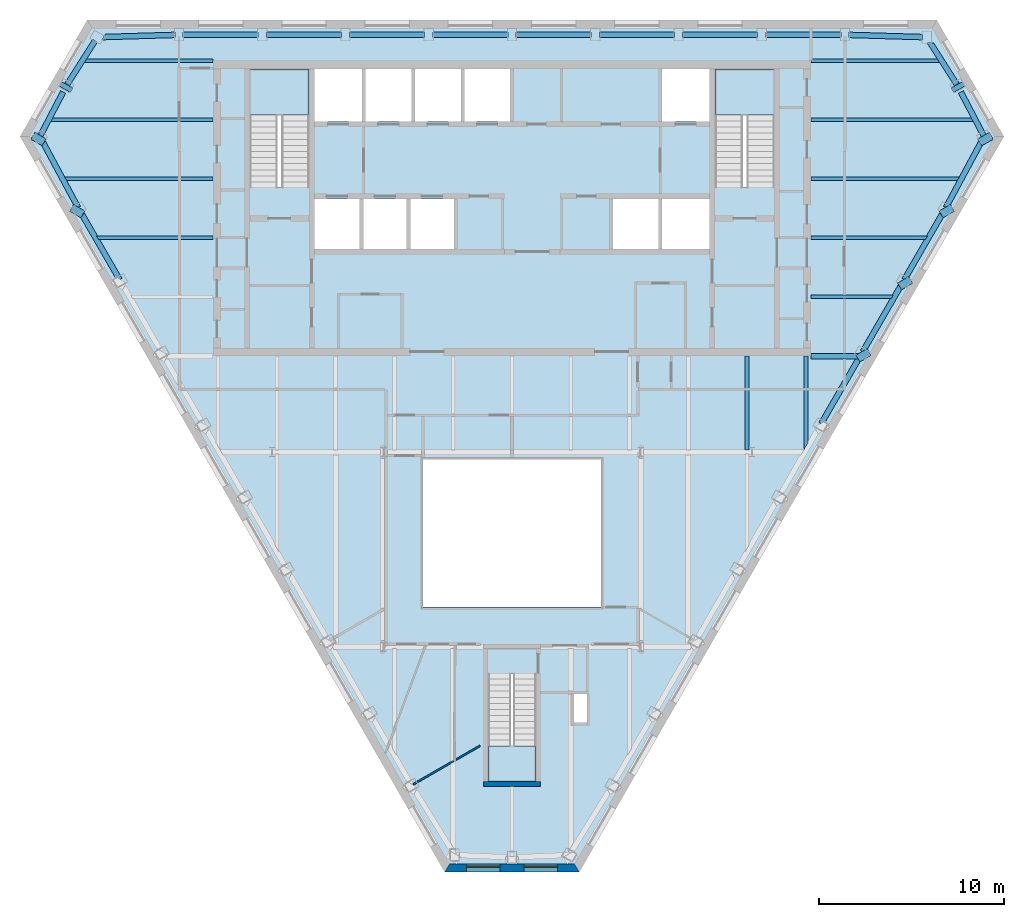
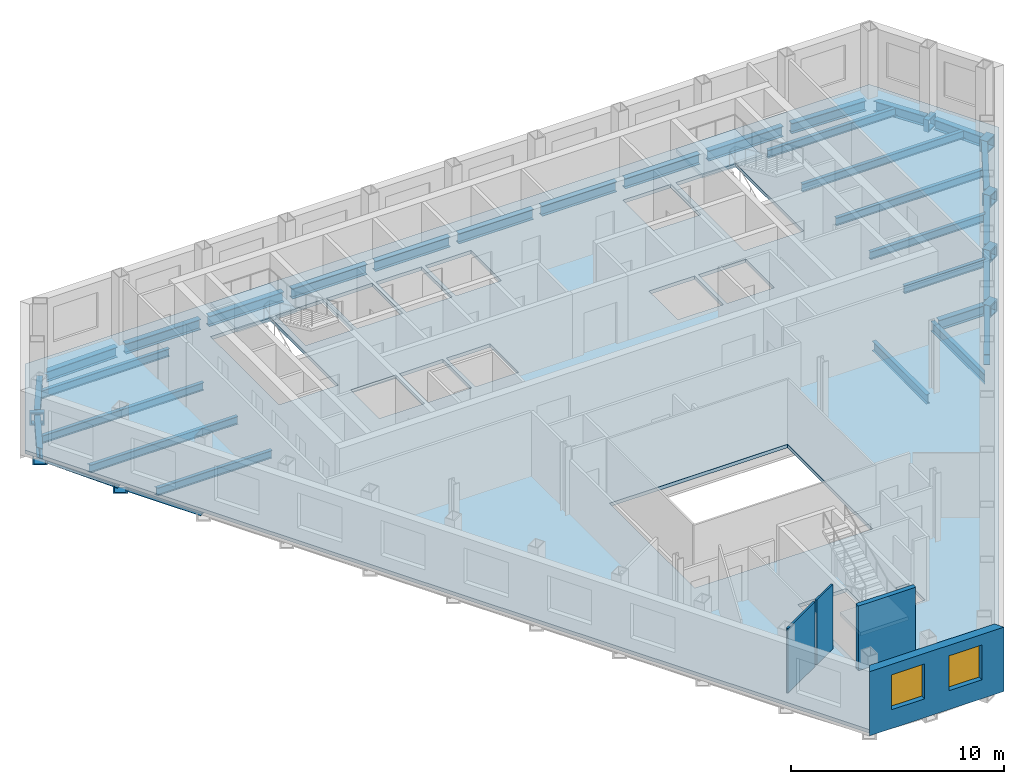
# One storey, part 3 of 11: 40 beams, 4 slabs, 4 walls, 2 windows, 2 openings, 3 elements without a shape of their own.
"""IFC4 building model written with IfcOpenShell, lengths in metres."""

from ifc_helpers import new_model, si_unit, direction, frame, frame_2d, origin, origin_2d, place, context, subcontext, project, spatial, polyline, rectangle, hollow_rectangle, i_section, outline, extrude, clip, halfspace, material, layer, layer_set, material_profile, profile_set, type_object, element, fill, aggregate, save


model = new_model("IFC4")

# Units and contexts
model_context = context("Model", 3, precision=1e-05, world=origin(), true_north=direction((0.0, 1.0)))
body_context = subcontext(model_context, "Body", "Model", "MODEL_VIEW")
ifc_project = project(units=[si_unit("LENGTHUNIT", "METRE"), si_unit("AREAUNIT", "SQUARE_METRE"), si_unit("VOLUMEUNIT", "CUBIC_METRE"), si_unit("PLANEANGLEUNIT", "RADIAN"), si_unit("MASSUNIT", "GRAM", prefix="KILO")], contexts=[model_context])

# Site, building, storey
site_placement = place(None, origin())
site = spatial("IfcSite", under=ifc_project, at=site_placement, CompositionType="ELEMENT")
building_placement = place(site_placement, origin())
building = spatial("IfcBuilding", under=site, at=building_placement, Name="Njiva Tower", CompositionType="ELEMENT")
storey_placement = place(building_placement, frame((0.0, 0.0, 204.3)))
storey = spatial("IfcBuildingStorey", under=building, at=storey_placement, Name="L45", CompositionType="ELEMENT", Elevation=204.3)

# Beams
ifc_material_1 = material(Name="Steel S355 J2", Category="steel")
ifc_material_profile_1 = material_profile(ifc_material_1, hollow_rectangle(XDim=0.7, YDim=0.7, WallThickness=0.08, at=origin_2d()), Name="BOX 700x700x80")
ifc_profile_set_1 = profile_set([ifc_material_profile_1], Name="Steel S355 J2")
beam_type_1 = type_object("IfcBeamType", Name="B19 Column jog beam BOX 700x700x80", PredefinedType="BEAM", material=ifc_profile_set_1)
beam_1_placement = place(storey_placement, frame((-24.237, 16.457, -0.55), z_axis=(0.498881567721, 0.866670168742, 0.0), x_axis=(-0.866670168742, 0.498881567721, 0.0)))
element("IfcBeam", 1, at=beam_1_placement, inside=storey, type_object=beam_type_1, Name="Column jog beam S15-B024", PredefinedType="BEAM", context=body_context, shape_type="SweptSolid", body=[
    extrude(hollow_rectangle(XDim=0.7, YDim=0.7, WallThickness=0.08, at=origin_2d()), origin(), (0.0, 0.0, 1.0), 0.2746),
])
for number, where, z_axis, x_axis, name in (
    (2, (-25.753, 13.566, -0.55), (0.499387282788, 0.866378867349, 0.0), (-0.866378867349, 0.499387282788, 0.0), "Column jog beam S15-B023"),
    (3, (-23.652, 9.662, -0.55), (0.499387282788, 0.866378867349, 0.0), (-0.866378867349, 0.499387282788, 0.0), "Column jog beam S15-B025"),
    (4, (19.145, 1.855, -0.55), (-0.499387282788, 0.866378867349, 0.0), (-0.866378867349, -0.499387282788, 0.0), "Column jog beam S15-B047"),
):
    element("IfcBeam", number, at=place(storey_placement, frame(where, z_axis=z_axis, x_axis=x_axis)), inside=storey, type_object=beam_type_1, Name=name, PredefinedType="BEAM", context=body_context, shape_type="SweptSolid", body=[
        extrude(hollow_rectangle(XDim=0.7, YDim=0.7, WallThickness=0.08, at=origin_2d()), origin(), (0.0, 0.0, 1.0), 0.4305),
    ])
beam_2_placement = place(storey_placement, frame((21.399, 5.759, -0.55), z_axis=(-0.500393920955, 0.865797853931, 0.0), x_axis=(-0.865797853931, -0.500393920955, 0.0)))
element("IfcBeam", 5, at=beam_2_placement, inside=storey, type_object=beam_type_1, Name="Column jog beam S15-B048", PredefinedType="BEAM", context=body_context, shape_type="SweptSolid", body=[
    extrude(hollow_rectangle(XDim=0.7, YDim=0.7, WallThickness=0.08, at=origin_2d()), origin(), (0.0, 0.0, 1.0), 0.4297),
])
for number, where, z_axis, x_axis, name in (
    (6, (23.652, 9.662, -0.55), (-0.499387282788, 0.866378867349, 0.0), (-0.866378867349, -0.499387282788, 0.0), "Column jog beam S15-B049"),
    (7, (25.753, 13.566, -0.55), (-0.499387282788, 0.866378867349, 0.0), (-0.866378867349, -0.499387282788, 0.0), "Column jog beam S15-B051"),
):
    element("IfcBeam", number, at=place(storey_placement, frame(where, z_axis=z_axis, x_axis=x_axis)), inside=storey, type_object=beam_type_1, Name=name, PredefinedType="BEAM", context=body_context, shape_type="SweptSolid", body=[
        extrude(hollow_rectangle(XDim=0.7, YDim=0.7, WallThickness=0.08, at=origin_2d()), origin(), (0.0, 0.0, 1.0), 0.4305),
    ])
beam_3_placement = place(storey_placement, frame((24.237, 16.457, -0.55), z_axis=(-0.498881567721, 0.866670168742, 0.0), x_axis=(-0.866670168742, -0.498881567721, 0.0)))
element("IfcBeam", 8, at=beam_3_placement, inside=storey, type_object=beam_type_1, Name="Column jog beam S15-B050", PredefinedType="BEAM", context=body_context, shape_type="SweptSolid", body=[
    extrude(hollow_rectangle(XDim=0.7, YDim=0.7, WallThickness=0.08, at=origin_2d()), origin(), (0.0, 0.0, 1.0), 0.2746),
])
ifc_material_profile_2 = material_profile(ifc_material_1, i_section(OverallWidth=0.3, OverallDepth=0.59, WebThickness=0.013, FlangeThickness=0.025, at=origin_2d()), Name="HEA 600")
ifc_profile_set_2 = profile_set([ifc_material_profile_2], Name="Steel S355 J2")
beam_type_2 = type_object("IfcBeamType", Name="B27 Short-span spandrel beam HEA 600", PredefinedType="SPANDREL", material=ifc_profile_set_2)
beam_4_placement = place(storey_placement, frame((22.232, 19.274, -0.495), z_axis=(-0.999551735133, 0.029938750687, 0.0), x_axis=(-0.029938750687, -0.999551735133, 0.0)))
element("IfcBeam", 9, at=beam_4_placement, inside=storey, type_object=beam_type_2, Name="Short-span spandrel beam S15-B134", PredefinedType="SPANDREL", context=body_context, shape_type="SweptSolid", body=[
    extrude(i_section(OverallWidth=0.3, OverallDepth=0.59, WebThickness=0.013, FlangeThickness=0.025, at=origin_2d()), origin(), (0.0, 0.0, 1.0), 3.9748),
])
beam_5_placement = place(storey_placement, frame((17.805, 19.4, -0.495), z_axis=(-1.0, 0.0, 0.0), x_axis=(0.0, -1.0, 0.0)))
element("IfcBeam", 10, at=beam_5_placement, inside=storey, type_object=beam_type_2, Name="Short-span spandrel beam S15-B129", PredefinedType="SPANDREL", context=body_context, shape_type="SweptSolid", body=[
    extrude(i_section(OverallWidth=0.3, OverallDepth=0.59, WebThickness=0.013, FlangeThickness=0.025, at=origin_2d()), origin(), (0.0, 0.0, 1.0), 4.057),
])
beam_6_placement = place(storey_placement, frame((13.298, 19.4, -0.495), z_axis=(-1.0, 0.0, 0.0), x_axis=(0.0, -1.0, 0.0)))
element("IfcBeam", 11, at=beam_6_placement, inside=storey, type_object=beam_type_2, Name="Short-span spandrel beam S15-B124", PredefinedType="SPANDREL", context=body_context, shape_type="SweptSolid", body=[
    extrude(i_section(OverallWidth=0.3, OverallDepth=0.59, WebThickness=0.013, FlangeThickness=0.025, at=origin_2d()), origin(), (0.0, 0.0, 1.0), 4.058),
])
beam_7_placement = place(storey_placement, frame((8.79, 19.4, -0.495), z_axis=(-1.0, 0.0, 0.0), x_axis=(0.0, -1.0, 0.0)))
element("IfcBeam", 12, at=beam_7_placement, inside=storey, type_object=beam_type_2, Name="Short-span spandrel beam S15-B119", PredefinedType="SPANDREL", context=body_context, shape_type="SweptSolid", body=[
    extrude(i_section(OverallWidth=0.3, OverallDepth=0.59, WebThickness=0.013, FlangeThickness=0.025, at=origin_2d()), origin(), (0.0, 0.0, 1.0), 4.057),
])
for number, where, z_axis, x_axis, name in (
    (13, (4.283, 19.4, -0.495), (-1.0, 0.0, 0.0), (0.0, -1.0, 0.0), "Short-span spandrel beam S15-B114"),
    (14, (-0.225, 19.4, -0.495), (-1.0, 0.0, 0.0), (0.0, -1.0, 0.0), "Short-span spandrel beam S15-B111"),
):
    element("IfcBeam", number, at=place(storey_placement, frame(where, z_axis=z_axis, x_axis=x_axis)), inside=storey, type_object=beam_type_2, Name=name, PredefinedType="SPANDREL", context=body_context, shape_type="SweptSolid", body=[
        extrude(i_section(OverallWidth=0.3, OverallDepth=0.59, WebThickness=0.013, FlangeThickness=0.025, at=origin_2d()), origin(), (0.0, 0.0, 1.0), 4.058),
    ])
beam_8_placement = place(storey_placement, frame((-4.733, 19.4, -0.495), z_axis=(-1.0, 0.0, 0.0), x_axis=(0.0, -1.0, 0.0)))
element("IfcBeam", 15, at=beam_8_placement, inside=storey, type_object=beam_type_2, Name="Short-span spandrel beam S15-B106", PredefinedType="SPANDREL", context=body_context, shape_type="SweptSolid", body=[
    extrude(i_section(OverallWidth=0.3, OverallDepth=0.59, WebThickness=0.013, FlangeThickness=0.025, at=origin_2d()), origin(), (0.0, 0.0, 1.0), 4.057),
])
beam_9_placement = place(storey_placement, frame((-9.24, 19.4, -0.495), z_axis=(-1.0, 0.0, 0.0), x_axis=(0.0, -1.0, 0.0)))
element("IfcBeam", 16, at=beam_9_placement, inside=storey, type_object=beam_type_2, Name="Short-span spandrel beam S15-B101", PredefinedType="SPANDREL", context=body_context, shape_type="SweptSolid", body=[
    extrude(i_section(OverallWidth=0.3, OverallDepth=0.59, WebThickness=0.013, FlangeThickness=0.025, at=origin_2d()), origin(), (0.0, 0.0, 1.0), 4.058),
])
beam_10_placement = place(storey_placement, frame((-13.748, 19.4, -0.495), z_axis=(-1.0, 0.0, 0.0), x_axis=(0.0, -1.0, 0.0)))
element("IfcBeam", 17, at=beam_10_placement, inside=storey, type_object=beam_type_2, Name="Short-span spandrel beam S15-B096", PredefinedType="SPANDREL", context=body_context, shape_type="SweptSolid", body=[
    extrude(i_section(OverallWidth=0.3, OverallDepth=0.59, WebThickness=0.013, FlangeThickness=0.025, at=origin_2d()), origin(), (0.0, 0.0, 1.0), 4.057),
])
beam_11_placement = place(storey_placement, frame((-18.259, 19.393, -0.495), z_axis=(-0.999546404273, -0.03011620335, 0.0), x_axis=(0.03011620335, -0.999546404273, 0.0)))
element("IfcBeam", 18, at=beam_11_placement, inside=storey, type_object=beam_type_2, Name="Short-span spandrel beam S15-B091", PredefinedType="SPANDREL", context=body_context, shape_type="Clipping", body=[
    clip(extrude(i_section(OverallWidth=0.3, OverallDepth=0.59, WebThickness=0.013, FlangeThickness=0.025, at=origin_2d()), origin(), (0.0, 0.0, 1.0), 3.9647), halfspace(frame((-0.0268, 0.0, 3.835), z_axis=(-0.525852644597, 0.0, 0.850575685151), x_axis=(0.0, 1.0, 0.0)), False)),
])
beam_12_placement = place(storey_placement, frame((-22.585, 19.072, -0.495), z_axis=(-0.536621512914, -0.843823057209, 0.0), x_axis=(0.843823057209, -0.536621512914, 0.0)))
element("IfcBeam", 19, at=beam_12_placement, inside=storey, type_object=beam_type_2, Name="Short-span spandrel beam S15-B087", PredefinedType="SPANDREL", context=body_context, shape_type="SweptSolid", body=[
    extrude(i_section(OverallWidth=0.3, OverallDepth=0.59, WebThickness=0.013, FlangeThickness=0.025, at=origin_2d()), origin(), (0.0, 0.0, 1.0), 2.8027),
])
beam_13_placement = place(storey_placement, frame((-24.308, 16.301, -0.495), z_axis=(-0.462629603741, -0.886551662196, 0.0), x_axis=(0.886551662196, -0.462629603741, 0.0)))
element("IfcBeam", 20, at=beam_13_placement, inside=storey, type_object=beam_type_2, Name="Short-span spandrel beam S15-B083", PredefinedType="SPANDREL", context=body_context, shape_type="Clipping", body=[
    clip(extrude(i_section(OverallWidth=0.3, OverallDepth=0.59, WebThickness=0.013, FlangeThickness=0.025, at=origin_2d()), origin(), (0.0, 0.0, 1.0), 2.8018), halfspace(frame((-0.0265, 0.0, 2.6693), z_axis=(-0.53646339878, 0.0, 0.843923587637), x_axis=(0.0, 1.0, 0.0)), False)),
])
beam_14_placement = place(storey_placement, frame((-25.386, 13.549, -0.495), z_axis=(0.473755074055, -0.880656646944, 0.0), x_axis=(0.880656646944, 0.473755074055, 0.0)))
element("IfcBeam", 21, at=beam_14_placement, inside=storey, type_object=beam_type_2, Name="Short-span spandrel beam S15-B086", PredefinedType="SPANDREL", context=body_context, shape_type="SweptSolid", body=[
    extrude(i_section(OverallWidth=0.3, OverallDepth=0.59, WebThickness=0.013, FlangeThickness=0.025, at=origin_2d()), origin(), (0.0, 0.0, 1.0), 3.9788),
])
beam_15_placement = place(storey_placement, frame((-23.277, 9.653, -0.495), z_axis=(0.499957196903, -0.866050114754, 0.0), x_axis=(0.866050114754, 0.499957196903, 0.0)))
element("IfcBeam", 22, at=beam_15_placement, inside=storey, type_object=beam_type_2, Name="Short-span spandrel beam S15-B090", PredefinedType="SPANDREL", context=body_context, shape_type="SweptSolid", body=[
    extrude(i_section(OverallWidth=0.3, OverallDepth=0.59, WebThickness=0.013, FlangeThickness=0.025, at=origin_2d()), origin(), (0.0, 0.0, 1.0), 4.0563),
])
beam_16_placement = place(storey_placement, frame((16.741, -1.668, -0.495), z_axis=(0.500035331196, 0.866005004348, 0.0), x_axis=(-0.866005004348, 0.500035331196, 0.0)))
element("IfcBeam", 23, at=beam_16_placement, inside=storey, type_object=beam_type_2, Name="Short-span spandrel beam S15-B132", PredefinedType="SPANDREL", context=body_context, shape_type="SweptSolid", body=[
    extrude(i_section(OverallWidth=0.3, OverallDepth=0.59, WebThickness=0.013, FlangeThickness=0.025, at=origin_2d()), origin(), (0.0, 0.0, 1.0), 4.0577),
])
beam_17_placement = place(storey_placement, frame((18.995, 2.236, -0.495), z_axis=(0.499928631667, 0.86606660439, 0.0), x_axis=(-0.86606660439, 0.499928631667, 0.0)))
element("IfcBeam", 24, at=beam_17_placement, inside=storey, type_object=beam_type_2, Name="Short-span spandrel beam S15-B135", PredefinedType="SPANDREL", context=body_context, shape_type="SweptSolid", body=[
    extrude(i_section(OverallWidth=0.3, OverallDepth=0.59, WebThickness=0.013, FlangeThickness=0.025, at=origin_2d()), origin(), (0.0, 0.0, 1.0), 4.0586),
])
beam_18_placement = place(storey_placement, frame((21.249, 6.14, -0.495), z_axis=(0.499957196903, 0.866050114754, 0.0), x_axis=(-0.866050114754, 0.499957196903, 0.0)))
element("IfcBeam", 25, at=beam_18_placement, inside=storey, type_object=beam_type_2, Name="Short-span spandrel beam S15-B137", PredefinedType="SPANDREL", context=body_context, shape_type="SweptSolid", body=[
    extrude(i_section(OverallWidth=0.3, OverallDepth=0.59, WebThickness=0.013, FlangeThickness=0.025, at=origin_2d()), origin(), (0.0, 0.0, 1.0), 4.0563),
])
beam_19_placement = place(storey_placement, frame((23.501, 10.045, -0.495), z_axis=(0.473785412094, 0.880640325721, 0.0), x_axis=(-0.880640325721, 0.473785412094, 0.0)))
element("IfcBeam", 26, at=beam_19_placement, inside=storey, type_object=beam_type_2, Name="Short-span spandrel beam S15-B141", PredefinedType="SPANDREL", context=body_context, shape_type="SweptSolid", body=[
    extrude(i_section(OverallWidth=0.3, OverallDepth=0.59, WebThickness=0.013, FlangeThickness=0.025, at=origin_2d()), origin(), (0.0, 0.0, 1.0), 4.3627),
])
beam_20_placement = place(storey_placement, frame((25.568, 13.887, -0.495), z_axis=(-0.462716604732, 0.886506257003, 0.0), x_axis=(-0.886506257003, -0.462716604732, 0.0)))
element("IfcBeam", 27, at=beam_20_placement, inside=storey, type_object=beam_type_2, Name="Short-span spandrel beam S15-B144", PredefinedType="SPANDREL", context=body_context, shape_type="SweptSolid", body=[
    extrude(i_section(OverallWidth=0.3, OverallDepth=0.59, WebThickness=0.013, FlangeThickness=0.025, at=origin_2d()), origin(), (0.0, 0.0, 1.0), 2.723),
])
beam_21_placement = place(storey_placement, frame((24.089, 16.707, -0.495), z_axis=(-0.536561368142, 0.843861302714, 0.0), x_axis=(-0.843861302714, -0.536561368142, 0.0)))
element("IfcBeam", 28, at=beam_21_placement, inside=storey, type_object=beam_type_2, Name="Short-span spandrel beam S15-B140", PredefinedType="SPANDREL", context=body_context, shape_type="Clipping", body=[
    clip(extrude(i_section(OverallWidth=0.3, OverallDepth=0.59, WebThickness=0.013, FlangeThickness=0.025, at=origin_2d()), origin(), (0.0, 0.0, 1.0), 2.7932), halfspace(frame((-0.0268, 0.0, 2.6611), z_axis=(-0.536561368142, 0.0, 0.843861302714), x_axis=(0.0, 1.0, 0.0)), False)),
])
ifc_material_profile_3 = material_profile(ifc_material_1, i_section(OverallWidth=0.3, OverallDepth=0.59, WebThickness=0.013, FlangeThickness=0.025, at=origin_2d()), Name="HEA 600")
ifc_profile_set_3 = profile_set([ifc_material_profile_3], Name="Steel S355 J2")
beam_type_3 = type_object("IfcBeamType", Name="B29 Short-span floor girder HEA 600", PredefinedType="BEAM", material=ifc_profile_set_3)
beam_22_placement = place(storey_placement, frame((16.2, 2.0, -0.495), z_axis=(1.0, 0.0, 0.0), x_axis=(0.0, 1.0, 0.0)))
element("IfcBeam", 29, at=beam_22_placement, inside=storey, type_object=beam_type_3, Name="Short-span floor girder S15-B022", PredefinedType="BEAM", context=body_context, shape_type="Clipping", body=[
    clip(extrude(i_section(OverallWidth=0.3, OverallDepth=0.59, WebThickness=0.013, FlangeThickness=0.025, at=origin_2d()), origin(), (0.0, 0.0, 1.0), 2.729), halfspace(frame((-0.025, 0.0, 2.6078), z_axis=(-0.499998009787, 0.0, 0.866026552831), x_axis=(0.0, 1.0, 0.0)), False)),
])
ifc_material_profile_4 = material_profile(ifc_material_1, i_section(OverallWidth=0.21, OverallDepth=0.55, WebThickness=0.0111, FlangeThickness=0.0172, at=origin_2d()), Name="IPE 550")
ifc_profile_set_4 = profile_set([ifc_material_profile_4], Name="Steel S355 J2")
beam_type_4 = type_object("IfcBeamType", Name="B32 Floor joist IPE 550", PredefinedType="JOIST", material=ifc_profile_set_4)
beam_23_placement = place(storey_placement, frame((12.733, 1.995, -0.475), z_axis=(0.0, -1.0, 0.0), x_axis=(1.0, 0.0, 0.0)))
element("IfcBeam", 30, at=beam_23_placement, inside=storey, type_object=beam_type_4, Name="Floor joist S15-B075", PredefinedType="JOIST", context=body_context, shape_type="SweptSolid", body=[
    extrude(i_section(OverallWidth=0.21, OverallDepth=0.55, WebThickness=0.0111, FlangeThickness=0.0172, at=origin_2d()), origin(), (0.0, 0.0, 1.0), 5.095),
])
beam_24_placement = place(storey_placement, frame((15.917, 1.995, -0.475), z_axis=(0.0, -1.0, 0.0), x_axis=(1.0, 0.0, 0.0)))
element("IfcBeam", 31, at=beam_24_placement, inside=storey, type_object=beam_type_4, Name="Floor joist S15-B076", PredefinedType="JOIST", context=body_context, shape_type="Clipping", body=[
    clip(extrude(i_section(OverallWidth=0.21, OverallDepth=0.55, WebThickness=0.0111, FlangeThickness=0.0172, at=origin_2d()), origin(), (0.0, 0.0, 1.0), 5.092), halfspace(frame((0.043, 0.0, 4.8153), z_axis=(0.866026552831, 0.0, 0.499998009787), x_axis=(0.0, 1.0, 0.0)), False)),
])
ifc_material_profile_5 = material_profile(ifc_material_1, i_section(OverallWidth=0.19, OverallDepth=0.45, WebThickness=0.0094, FlangeThickness=0.0146, at=origin_2d()), Name="IPE 450")
ifc_profile_set_5 = profile_set([ifc_material_profile_5], Name="Steel S355 J2")
beam_type_5 = type_object("IfcBeamType", Name="B37 Floor beam to the core IPE 450", PredefinedType="BEAM", material=ifc_profile_set_5)
beam_25_placement = place(storey_placement, frame((-22.513, 8.4, -0.425), z_axis=(1.0, 0.0, 0.0), x_axis=(0.0, 1.0, 0.0)))
element("IfcBeam", 32, at=beam_25_placement, inside=storey, type_object=beam_type_5, Name="Floor beam to the core S15-B004", PredefinedType="BEAM", context=body_context, shape_type="Clipping", body=[
    clip(extrude(i_section(OverallWidth=0.19, OverallDepth=0.45, WebThickness=0.0094, FlangeThickness=0.0146, at=origin_2d()), origin(), (0.0, 0.0, 1.0), 6.313), halfspace(frame((-0.025, 0.0, 0.0894), z_axis=(-0.499998009787, 0.0, -0.866026552831), x_axis=(0.0, -1.0, 0.0)), False)),
])
beam_26_placement = place(storey_placement, frame((16.2, 8.4, -0.425), z_axis=(1.0, 0.0, 0.0), x_axis=(0.0, 1.0, 0.0)))
element("IfcBeam", 33, at=beam_26_placement, inside=storey, type_object=beam_type_5, Name="Floor beam to the core S15-B007", PredefinedType="BEAM", context=body_context, shape_type="Clipping", body=[
    clip(extrude(i_section(OverallWidth=0.19, OverallDepth=0.45, WebThickness=0.0094, FlangeThickness=0.0146, at=origin_2d()), origin(), (0.0, 0.0, 1.0), 6.313), halfspace(frame((-0.025, 0.0, 6.2236), z_axis=(-0.499998009787, 0.0, 0.866026552831), x_axis=(0.0, 1.0, 0.0)), False)),
])
beam_27_placement = place(storey_placement, frame((-24.295, 11.6, -0.425), z_axis=(1.0, 0.0, 0.0), x_axis=(0.0, 1.0, 0.0)))
element("IfcBeam", 34, at=beam_27_placement, inside=storey, type_object=beam_type_5, Name="Floor beam to the core S15-B002", PredefinedType="BEAM", context=body_context, shape_type="Clipping", body=[
    clip(extrude(i_section(OverallWidth=0.19, OverallDepth=0.45, WebThickness=0.0094, FlangeThickness=0.0146, at=origin_2d()), origin(), (0.0, 0.0, 1.0), 8.095), halfspace(frame((-0.0237, 0.0, 0.0839), z_axis=(-0.473769423091, 0.0, -0.880648927634), x_axis=(0.0, -1.0, 0.0)), False)),
])
beam_28_placement = place(storey_placement, frame((16.2, 11.6, -0.425), z_axis=(1.0, 0.0, 0.0), x_axis=(0.0, 1.0, 0.0)))
element("IfcBeam", 35, at=beam_28_placement, inside=storey, type_object=beam_type_5, Name="Floor beam to the core S15-B008", PredefinedType="BEAM", context=body_context, shape_type="Clipping", body=[
    clip(extrude(i_section(OverallWidth=0.19, OverallDepth=0.45, WebThickness=0.0094, FlangeThickness=0.0146, at=origin_2d()), origin(), (0.0, 0.0, 1.0), 8.095), halfspace(frame((-0.0237, 0.0, 8.0111), z_axis=(-0.473769423091, 0.0, 0.880648927634), x_axis=(0.0, 1.0, 0.0)), False)),
])
beam_29_placement = place(storey_placement, frame((-25.048, 14.8, -0.425), z_axis=(1.0, 0.0, 0.0), x_axis=(0.0, 1.0, 0.0)))
element("IfcBeam", 36, at=beam_29_placement, inside=storey, type_object=beam_type_5, Name="Floor beam to the core S15-B001", PredefinedType="BEAM", context=body_context, shape_type="Clipping", body=[
    clip(extrude(i_section(OverallWidth=0.19, OverallDepth=0.45, WebThickness=0.0094, FlangeThickness=0.0146, at=origin_2d()), origin(), (0.0, 0.0, 1.0), 8.848), halfspace(frame((0.0231, 0.0, 0.0817), z_axis=(0.462460059842, 0.0, -0.886640114731), x_axis=(0.0, -1.0, 0.0)), False)),
])
beam_30_placement = place(storey_placement, frame((16.2, 14.8, -0.425), z_axis=(1.0, 0.0, 0.0), x_axis=(0.0, 1.0, 0.0)))
element("IfcBeam", 37, at=beam_30_placement, inside=storey, type_object=beam_type_5, Name="Floor beam to the core S15-B009", PredefinedType="BEAM", context=body_context, shape_type="Clipping", body=[
    clip(extrude(i_section(OverallWidth=0.19, OverallDepth=0.45, WebThickness=0.0094, FlangeThickness=0.0146, at=origin_2d()), origin(), (0.0, 0.0, 1.0), 8.848), halfspace(frame((0.0231, 0.0, 8.7663), z_axis=(0.462460059842, 0.0, 0.886640114731), x_axis=(0.0, 1.0, 0.0)), False)),
])
beam_31_placement = place(storey_placement, frame((-23.228, 18.0, -0.425), z_axis=(1.0, 0.0, 0.0), x_axis=(0.0, 1.0, 0.0)))
element("IfcBeam", 38, at=beam_31_placement, inside=storey, type_object=beam_type_5, Name="Floor beam to the core S15-B003", PredefinedType="BEAM", context=body_context, shape_type="Clipping", body=[
    clip(extrude(i_section(OverallWidth=0.19, OverallDepth=0.45, WebThickness=0.0094, FlangeThickness=0.0146, at=origin_2d()), origin(), (0.0, 0.0, 1.0), 7.028), halfspace(frame((0.0268, 0.0, 0.0966), z_axis=(0.536617291887, 0.0, -0.843825741518), x_axis=(0.0, -1.0, 0.0)), False)),
])
beam_32_placement = place(storey_placement, frame((16.2, 18.0, -0.425), z_axis=(1.0, 0.0, 0.0), x_axis=(0.0, 1.0, 0.0)))
element("IfcBeam", 39, at=beam_32_placement, inside=storey, type_object=beam_type_5, Name="Floor beam to the core S15-B010", PredefinedType="BEAM", context=body_context, shape_type="Clipping", body=[
    clip(extrude(i_section(OverallWidth=0.19, OverallDepth=0.45, WebThickness=0.0094, FlangeThickness=0.0146, at=origin_2d()), origin(), (0.0, 0.0, 1.0), 7.028), halfspace(frame((0.0268, 0.0, 6.9314), z_axis=(0.536617291887, 0.0, 0.843825741518), x_axis=(0.0, 1.0, 0.0)), False)),
])
ifc_material_profile_6 = material_profile(ifc_material_1, i_section(OverallWidth=0.19, OverallDepth=0.45, WebThickness=0.0094, FlangeThickness=0.0146, at=origin_2d()), Name="IPE 450")
ifc_profile_set_6 = profile_set([ifc_material_profile_6], Name="Steel S355 J2")
beam_type_6 = type_object("IfcBeamType", Name="B38 Short-span floor beam to the core IPE 450", PredefinedType="BEAM", material=ifc_profile_set_6)
beam_33_placement = place(storey_placement, frame((16.2, 5.2, -0.425), z_axis=(1.0, 0.0, 0.0), x_axis=(0.0, 1.0, 0.0)))
element("IfcBeam", 40, at=beam_33_placement, inside=storey, type_object=beam_type_6, Name="Short-span floor beam to the core S15-B006", PredefinedType="BEAM", context=body_context, shape_type="Clipping", body=[
    clip(extrude(i_section(OverallWidth=0.19, OverallDepth=0.45, WebThickness=0.0094, FlangeThickness=0.0146, at=origin_2d()), origin(), (0.0, 0.0, 1.0), 4.466), halfspace(frame((-0.025, 0.0, 4.3761), z_axis=(-0.499998009787, 0.0, 0.866026552831), x_axis=(0.0, 1.0, 0.0)), False)),
])

# Stair, slab
ifc_material_2 = material(Name="Concrete C40/50", Category="concrete")
stair_type_1 = type_object("IfcStairType", Name="ST4 Exit stair 1500", PredefinedType="HALF_TURN_STAIR", material=ifc_material_2)
stair_1_placement = place(storey_placement, origin())
stair_1 = element("IfcStair", 41, at=stair_1_placement, inside=storey, type_object=stair_type_1, Name="Stair A", PredefinedType="HALF_TURN_STAIR")
ifc_layer_1 = layer(ifc_material_2, 0.2)
ifc_layer_set_1 = layer_set([ifc_layer_1], Name="Concrete C40/50")
slab_type_1 = type_object("IfcSlabType", Name="FL9 Stair landing 200", PredefinedType="LANDING", material=ifc_layer_set_1)
slab_1_placement = place(storey_placement, frame((0.0, 0.0, 1.75)))
slab_1 = element("IfcSlab", 42, at=slab_1_placement, type_object=slab_type_1, Name="ST-A landing 1", PredefinedType="LANDING", context=body_context, shape_type="SweptSolid", body=[
    extrude(outline(polyline([(-14.206, 15.06), (-10.994, 15.06), (-10.994, 17.55), (-14.206, 17.55), (-14.206, 15.06)])), origin(), (0.0, 0.0, 1.0), 0.2),
])
aggregate(stair_1, [slab_1])

stair_2_placement = place(storey_placement, origin())
stair_2 = element("IfcStair", 43, at=stair_2_placement, inside=storey, type_object=stair_type_1, Name="Stair B", PredefinedType="HALF_TURN_STAIR")
slab_2_placement = place(storey_placement, frame((0.0, 0.0, 1.75)))
slab_2 = element("IfcSlab", 44, at=slab_2_placement, type_object=slab_type_1, Name="ST-B landing 1", PredefinedType="LANDING", context=body_context, shape_type="SweptSolid", body=[
    extrude(outline(polyline([(10.994, 15.06), (14.206, 15.06), (14.206, 17.55), (10.994, 17.55), (10.994, 15.06)])), origin(), (0.0, 0.0, 1.0), 0.2),
])
aggregate(stair_2, [slab_2])

stair_type_2 = type_object("IfcStairType", Name="ST1 Exit stair 1250", PredefinedType="HALF_TURN_STAIR", material=ifc_material_2)
stair_3_placement = place(storey_placement, origin())
stair_3 = element("IfcStair", 45, at=stair_3_placement, inside=storey, type_object=stair_type_2, Name="Stair C", PredefinedType="HALF_TURN_STAIR")
slab_3_placement = place(storey_placement, frame((0.0, 0.0, 1.75)))
slab_3 = element("IfcSlab", 46, at=slab_3_placement, type_object=slab_type_1, Name="ST-C landing 1", PredefinedType="LANDING", context=body_context, shape_type="SweptSolid", body=[
    extrude(outline(polyline([(-1.306, -21.05), (1.306, -21.05), (1.306, -19.12), (-1.306, -19.12), (-1.306, -21.05)])), origin(), (0.0, 0.0, 1.0), 0.2),
])
aggregate(stair_3, [slab_3])

# Slab
ifc_material_3 = material(Name="Concrete C30/37", Category="concrete")
ifc_layer_2 = layer(ifc_material_3, 0.2)
ifc_layer_set_2 = layer_set([ifc_layer_2], Name="Concrete C30/37")
slab_type_2 = type_object("IfcSlabType", Name="SL16 Composite floor slab 200", PredefinedType="FLOOR", material=ifc_layer_set_2)
slab_4_placement = place(storey_placement, frame((0.0, 0.0, -0.2)))
element("IfcSlab", 47, at=slab_4_placement, inside=storey, type_object=slab_type_2, Name="Floor slab L45", PredefinedType="FLOOR", context=body_context, shape_type="SweptSolid", body=[
    extrude(outline(polyline([(26.3852, 13.8867), (3.5151, -25.7255), (-3.5151, -25.7255), (-26.3852, 13.8867), (-22.8701, 19.975), (22.8701, 19.975), (26.3852, 13.8867)]), holes=[polyline([(10.994, 11.13), (14.206, 11.13), (14.206, 17.55), (10.994, 17.55), (10.994, 11.13)]), polyline([(8.125, 14.7), (10.7, 14.7), (10.7, 17.55), (8.125, 17.55), (8.125, 14.7)]), polyline([(8.1333, 7.8), (10.7, 7.8), (10.7, 10.5), (8.1333, 10.5), (8.1333, 7.8)]), polyline([(5.4667, 7.8), (7.9333, 7.8), (7.9333, 10.5), (5.4667, 10.5), (5.4667, 7.8)]), polyline([(4.82, -11.6), (4.82, -3.6), (-4.82, -3.6), (-4.82, -11.6), (4.82, -11.6)]), polyline([(3.35, -17.85), (4.05, -17.85), (4.05, -16.3), (3.35, -16.3), (3.35, -17.85)]), polyline([(-1.306, -21.05), (1.306, -21.05), (1.306, -15.19), (-1.306, -15.19), (-1.306, -21.05)]), polyline([(-2.575, 14.7), (-0.1, 14.7), (-0.1, 17.55), (-2.575, 17.55), (-2.575, 14.7)]), polyline([(-5.25, 14.7), (-2.775, 14.7), (-2.775, 17.55), (-5.25, 17.55), (-5.25, 14.7)]), polyline([(-5.5, 7.8), (-3.15, 7.8), (-3.15, 10.5), (-5.5, 10.5), (-5.5, 7.8)]), polyline([(-7.925, 14.7), (-5.45, 14.7), (-5.45, 17.55), (-7.925, 17.55), (-7.925, 14.7)]), polyline([(-8.05, 7.8), (-5.7, 7.8), (-5.7, 10.5), (-8.05, 10.5), (-8.05, 7.8)]), polyline([(-10.7, 14.7), (-8.125, 14.7), (-8.125, 17.55), (-10.7, 17.55), (-10.7, 14.7)]), polyline([(-8.25, 7.8), (-8.25, 10.5), (-10.7, 10.5), (-10.7, 7.8), (-8.25, 7.8)]), polyline([(-14.206, 11.13), (-10.994, 11.13), (-10.994, 17.55), (-14.206, 17.55), (-14.206, 11.13)])]), origin(), (0.0, 0.0, 1.0), 0.2),
])

# Walls
ifc_material_4 = material(Name="Gypsum board on steel studs", Category="gypsum")
ifc_layer_3 = layer(ifc_material_4, 0.1)
ifc_layer_set_3 = layer_set([ifc_layer_3], Name="Gypsum board on steel studs")
wall_type_1 = type_object("IfcWallType", Name="WT20 Gypsum partition 100", PredefinedType="PARTITIONING", material=ifc_layer_set_3)
wall_1_placement = place(storey_placement, frame((-5.351, -21.196, 0.0), z_axis=(0.0, 0.0, 1.0), x_axis=(0.866290838041, 0.499539972301, 0.0)))
element("IfcWall", 48, at=wall_1_placement, inside=storey, type_object=wall_type_1, Name="Partition S15-P012", PredefinedType="PARTITIONING", context=body_context, shape_type="SweptSolid", body=[
    extrude(rectangle(XDim=2.5303, YDim=0.1, at=frame_2d((1.2652, 0.0))), origin(), (0.0, 0.0, 1.0), 3.7),
])
wall_2_placement = place(storey_placement, frame((-3.025, -19.854, 0.0), z_axis=(0.0, 0.0, 1.0), x_axis=(0.865897129857, 0.500222111171, 0.0)))
element("IfcWall", 49, at=wall_2_placement, inside=storey, type_object=wall_type_1, Name="Partition S15-P015", PredefinedType="PARTITIONING", context=body_context, shape_type="SweptSolid", body=[
    extrude(rectangle(XDim=1.5013, YDim=0.1, at=frame_2d((0.7506, 0.0))), origin(), (0.0, 0.0, 1.0), 3.7),
])
ifc_layer_4 = layer(ifc_material_2, 0.25)
ifc_layer_set_4 = layer_set([ifc_layer_4], Name="Concrete C40/50")
wall_type_2 = type_object("IfcWallType", Name="WT9 Stair enclosure wall 250", PredefinedType="SHEAR", material=ifc_layer_set_4)
wall_3_placement = place(storey_placement, frame((-1.55, -21.175, 0.0), z_axis=(0.0, 0.0, 1.0), x_axis=(1.0, 0.0, 0.0)))
element("IfcWall", 50, at=wall_3_placement, inside=storey, type_object=wall_type_2, Name="Stair C wall south", PredefinedType="SHEAR", context=body_context, shape_type="SweptSolid", body=[
    extrude(rectangle(XDim=3.1, YDim=0.25, at=frame_2d((1.55, 0.0))), origin(), (0.0, 0.0, 1.0), 3.7),
])

# Wall, openings, windows
ifc_material_5 = material(Name="Brick masonry, buff", Category="masonry")
ifc_layer_5 = layer(ifc_material_5, 0.45)
ifc_layer_set_5 = layer_set([ifc_layer_5], Name="Brick masonry, buff")
wall_type_3 = type_object("IfcWallType", Name="WT94 Brick pier and spandrel wall 450, buff", PredefinedType="SOLIDWALL", material=ifc_layer_set_5)
wall_4_placement = place(storey_placement, frame((-3.5151, -25.7255, -0.18), z_axis=(0.0, 0.0, 1.0), x_axis=(1.0, 0.0, 0.0)))
wall_4 = element("IfcWall", 51, at=wall_4_placement, inside=storey, type_object=wall_type_3, Name="Facade wall S", PredefinedType="SOLIDWALL", context=body_context, shape_type="SweptSolid", body=[
    extrude(outline(polyline([(-0.1299, -0.225), (7.1601, -0.225), (6.9003, 0.225), (0.1299, 0.225), (-0.1299, -0.225)])), origin(), (0.0, 0.0, 1.0), 3.68),
])
opening_1_placement = place(wall_4_placement, frame((1.0619, 0.0, 1.08)))
opening_1 = element("IfcOpeningElement", 52, at=opening_1_placement, cuts=wall_4, Name="Opening S15-W21", PredefinedType="OPENING", context=body_context, shape_type="SweptSolid", body=[
    extrude(rectangle(XDim=1.8, YDim=2.0, at=frame_2d((0.9, 1.0))), frame((0.0, 0.235, 0.0), z_axis=(0.0, -1.0, 0.0), x_axis=(1.0, 0.0, 0.0)), (0.0, 0.0, 1.0), 0.47),
])
opening_2_placement = place(wall_4_placement, frame((4.1682, 0.0, 1.08)))
opening_2 = element("IfcOpeningElement", 53, at=opening_2_placement, cuts=wall_4, Name="Opening S15-W22", PredefinedType="OPENING", context=body_context, shape_type="SweptSolid", body=[
    extrude(rectangle(XDim=1.8, YDim=2.0, at=frame_2d((0.9, 1.0))), frame((0.0, 0.235, 0.0), z_axis=(0.0, -1.0, 0.0), x_axis=(1.0, 0.0, 0.0)), (0.0, 0.0, 1.0), 0.47),
])
ifc_material_6 = material(Name="Clear glazing in aluminium frame", Category="aluminium")
window_type = type_object("IfcWindowType", Name="W94 Deep-set window 1800x2000", PartitioningType="SINGLE_PANEL", PredefinedType="WINDOW", material=ifc_material_6)
window_1_placement = place(opening_1_placement, origin())
window_1 = element("IfcWindow", 54, at=window_1_placement, inside=storey, type_object=window_type, Name="Window", OverallHeight=2.0, OverallWidth=1.8, PartitioningType="SINGLE_PANEL", PredefinedType="WINDOW", context=body_context, shape_type="SweptSolid", body=[
    extrude(rectangle(XDim=1.8, YDim=2.0, at=frame_2d((0.9, 1.0))), frame((0.0, 0.105, 0.0), z_axis=(0.0, -1.0, 0.0), x_axis=(1.0, 0.0, 0.0)), (0.0, 0.0, 1.0), 0.06),
])
fill(opening_1, window_1)
window_2_placement = place(opening_2_placement, origin())
window_2 = element("IfcWindow", 55, at=window_2_placement, inside=storey, type_object=window_type, Name="Window", OverallHeight=2.0, OverallWidth=1.8, PartitioningType="SINGLE_PANEL", PredefinedType="WINDOW", context=body_context, shape_type="SweptSolid", body=[
    extrude(rectangle(XDim=1.8, YDim=2.0, at=frame_2d((0.9, 1.0))), frame((0.0, 0.105, 0.0), z_axis=(0.0, -1.0, 0.0), x_axis=(1.0, 0.0, 0.0)), (0.0, 0.0, 1.0), 0.06),
])
fill(opening_2, window_2)

save(model, "model.ifc")
